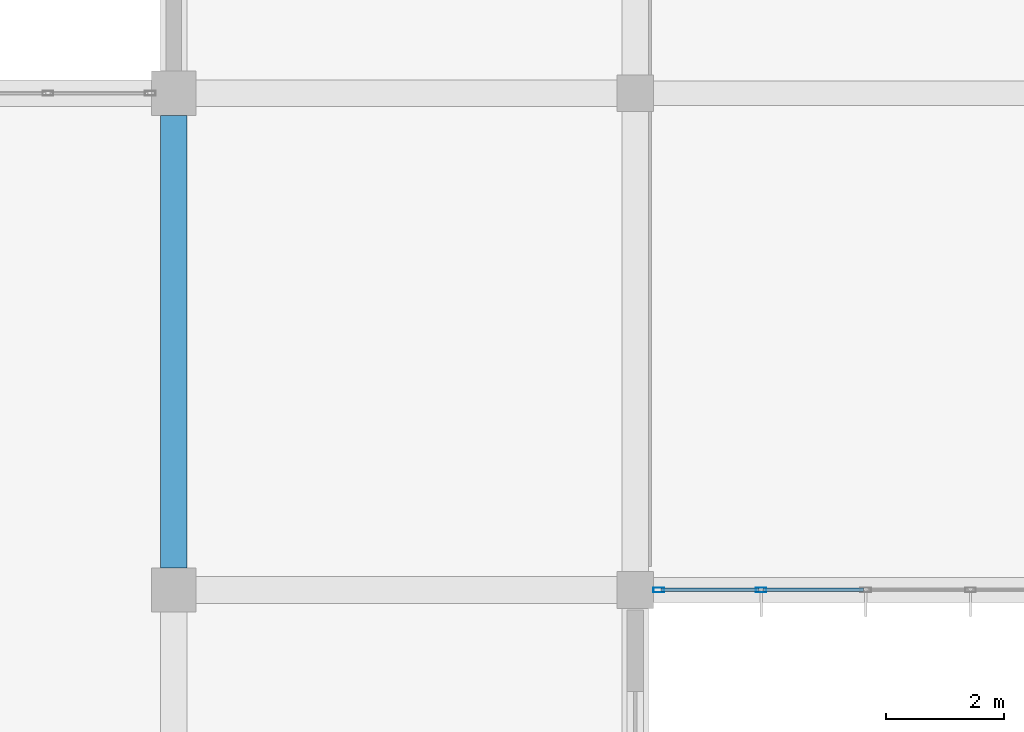
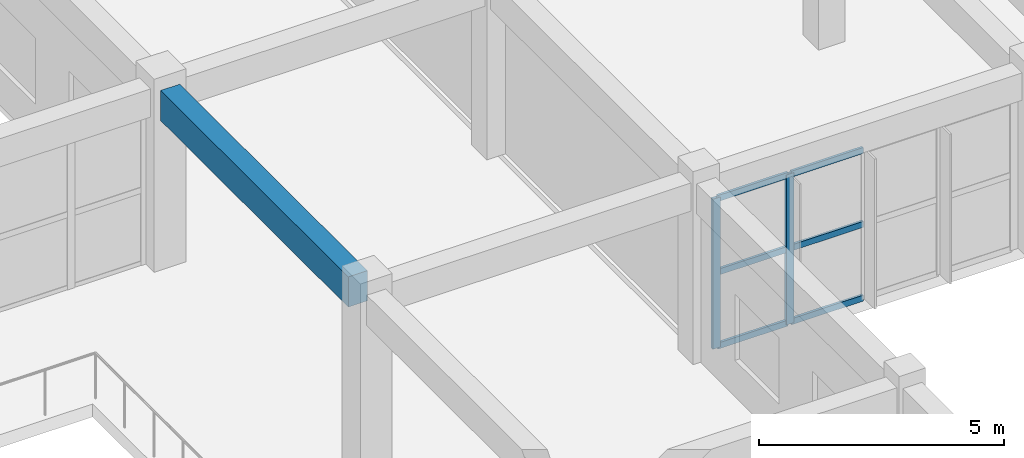
# One storey, part 85 of 167: 8 members, 1 beam, 1 element without a shape of its own.
"""IFC4 building model written with IfcOpenShell, lengths in metres."""

from ifc_helpers import new_model, si_unit, direction, frame, origin, origin_2d, place, context, subcontext, project, spatial, rectangle, hollow_rectangle, extrude, material, layer, layer_set, material_profile, profile_set, type_object, element, aggregate, save


model = new_model("IFC4")

# Units and contexts
model_context = context("Model", 3, precision=1e-05, world=origin(), true_north=direction((0.0, 1.0)))
body_context = subcontext(model_context, "Body", "Model", "MODEL_VIEW")
ifc_project = project(units=[si_unit("LENGTHUNIT", "METRE"), si_unit("AREAUNIT", "SQUARE_METRE"), si_unit("VOLUMEUNIT", "CUBIC_METRE"), si_unit("PLANEANGLEUNIT", "RADIAN"), si_unit("MASSUNIT", "GRAM", prefix="KILO")], contexts=[model_context])

# Site, building, storey
site_placement = place(None, origin())
site = spatial("IfcSite", under=ifc_project, at=site_placement, CompositionType="ELEMENT")
building_placement = place(site_placement, origin())
building = spatial("IfcBuilding", under=site, at=building_placement, Name="Zizhar Promenade General Hospital", CompositionType="ELEMENT")
storey_placement = place(building_placement, frame((0.0, 0.0, 9.60009765625)))
storey = spatial("IfcBuildingStorey", under=building, at=storey_placement, Name="L02", CompositionType="ELEMENT", Elevation=9.60009765625)

# Beam
ifc_material_1 = material(Name="Concrete C35/45", Category="concrete")
ifc_material_profile_1 = material_profile(ifc_material_1, rectangle(XDim=0.449951171875, YDim=0.75, at=origin_2d()))
ifc_profile_set_1 = profile_set([ifc_material_profile_1], Name="Concrete C35/45")
beam_type = type_object("IfcBeamType", Name="BM-RC-450x750", PredefinedType="BEAM", material=ifc_profile_set_1)
beam_placement = place(storey_placement, frame((124.800048828125, 42.375, 4.094970703125), z_axis=(0.0, 1.0, 0.0), x_axis=(-1.0, 0.0, 0.0)))
element("IfcBeam", 1, at=beam_placement, inside=storey, type_object=beam_type, Name="Grid Beam Y L02 (16-5)", PredefinedType="BEAM", context=body_context, shape_type="SweptSolid", body=[
    extrude(rectangle(XDim=0.449951171875, YDim=0.75, at=origin_2d()), origin(), (0.0, 0.0, 1.0), 7.64990234375),
])

# Curtain wall, members
ifc_material_2 = material(Name="Anodised aluminium 6063-T6 and low-E glass", Category="aluminium")
ifc_layer = layer(ifc_material_2, 0.159912109375)
ifc_layer_set = layer_set([ifc_layer], Name="Anodised aluminium 6063-T6 and low-E glass")
curtain_wall_type = type_object("IfcCurtainWallType", Name="CW-CLN-EXT", PredefinedType="NOTDEFINED", material=ifc_layer_set)
curtain_wall_placement = place(storey_placement, origin())
curtain_wall = element("IfcCurtainWall", 2, at=curtain_wall_placement, inside=storey, type_object=curtain_wall_type, Name="Outpatient Forecourt Curtain Wall L02-17", PredefinedType="NOTDEFINED")
ifc_material_3 = material(Name="Anodised aluminium 6063-T6", Category="aluminium")
ifc_material_profile_2 = material_profile(ifc_material_3, hollow_rectangle(XDim=0.080078125, YDim=0.179931640625, WallThickness=0.0048828125, at=origin_2d()))
ifc_profile_set_2 = profile_set([ifc_material_profile_2], Name="Anodised aluminium 6063-T6")
member_type_1 = type_object("IfcMemberType", Name="CWM-ALU-180x80", PredefinedType="MULLION", material=ifc_profile_set_2)
member_1_placement = place(storey_placement, frame((134.72998046875, 42.0, 0.0), z_axis=(0.0, 0.0, 1.0), x_axis=(0.0, -1.0, 0.0)))
member_1 = element("IfcMember", 3, at=member_1_placement, type_object=member_type_1, Name="CW-09 mullion 4", PredefinedType="MULLION", context=body_context, shape_type="SweptSolid", body=[
    extrude(hollow_rectangle(XDim=0.080078125, YDim=0.179931640625, WallThickness=0.0048828125, at=origin_2d()), origin(), (0.0, 0.0, 1.0), 3.72998046875),
])
member_2_placement = place(storey_placement, frame((133.0, 42.0, 0.0), z_axis=(0.0, 0.0, 1.0), x_axis=(0.0, -1.0, 0.0)))
member_2 = element("IfcMember", 4, at=member_2_placement, type_object=member_type_1, Name="CW-09 mullion 5", PredefinedType="MULLION", context=body_context, shape_type="SweptSolid", body=[
    extrude(hollow_rectangle(XDim=0.080078125, YDim=0.179931640625, WallThickness=0.0048828125, at=origin_2d()), origin(), (0.0, 0.0, 1.0), 3.72998046875),
])
ifc_material_4 = material(Name="Anodised aluminium 6063-T6", Category="aluminium")
ifc_material_profile_3 = material_profile(ifc_material_4, hollow_rectangle(XDim=0.06005859375, YDim=0.14990234375, WallThickness=0.00390625, at=origin_2d()))
ifc_profile_set_3 = profile_set([ifc_material_profile_3], Name="Anodised aluminium 6063-T6")
member_type_2 = type_object("IfcMemberType", Name="CWT-ALU-150x60", PredefinedType="USERDEFINED", material=ifc_profile_set_3)
member_3_placement = place(storey_placement, frame((136.4599609375, 42.0, 0.02978515625), z_axis=(-1.0, 0.0, 0.0), x_axis=(0.0, -1.0, 0.0)))
member_3 = element("IfcMember", 5, at=member_3_placement, type_object=member_type_2, Name="CW-09 transom 3.1", ObjectType="TRANSOM", PredefinedType="USERDEFINED", context=body_context, shape_type="SweptSolid", body=[
    extrude(hollow_rectangle(XDim=0.06005859375, YDim=0.14990234375, WallThickness=0.00390625, at=origin_2d()), origin(), (0.0, 0.0, 1.0), 1.68994140625),
])
member_4_placement = place(storey_placement, frame((136.4599609375, 42.0, 1.864990234375), z_axis=(-1.0, 0.0, 0.0), x_axis=(0.0, -1.0, 0.0)))
member_4 = element("IfcMember", 6, at=member_4_placement, type_object=member_type_2, Name="CW-09 transom 3.2", ObjectType="TRANSOM", PredefinedType="USERDEFINED", context=body_context, shape_type="SweptSolid", body=[
    extrude(hollow_rectangle(XDim=0.06005859375, YDim=0.14990234375, WallThickness=0.00390625, at=origin_2d()), origin(), (0.0, 0.0, 1.0), 1.68994140625),
])
member_5_placement = place(storey_placement, frame((136.4599609375, 42.0, 3.699951171875), z_axis=(-1.0, 0.0, 0.0), x_axis=(0.0, -1.0, 0.0)))
member_5 = element("IfcMember", 7, at=member_5_placement, type_object=member_type_2, Name="CW-09 transom 3.3", ObjectType="TRANSOM", PredefinedType="USERDEFINED", context=body_context, shape_type="SweptSolid", body=[
    extrude(hollow_rectangle(XDim=0.06005859375, YDim=0.14990234375, WallThickness=0.00390625, at=origin_2d()), origin(), (0.0, 0.0, 1.0), 1.68994140625),
])
member_6_placement = place(storey_placement, frame((134.68994140625, 42.0, 0.02978515625), z_axis=(-1.0, 0.0, 0.0), x_axis=(0.0, -1.0, 0.0)))
member_6 = element("IfcMember", 8, at=member_6_placement, type_object=member_type_2, Name="CW-09 transom 4.1", ObjectType="TRANSOM", PredefinedType="USERDEFINED", context=body_context, shape_type="SweptSolid", body=[
    extrude(hollow_rectangle(XDim=0.06005859375, YDim=0.14990234375, WallThickness=0.00390625, at=origin_2d()), origin(), (0.0, 0.0, 1.0), 1.64990234375),
])
member_7_placement = place(storey_placement, frame((134.68994140625, 42.0, 1.864990234375), z_axis=(-1.0, 0.0, 0.0), x_axis=(0.0, -1.0, 0.0)))
member_7 = element("IfcMember", 9, at=member_7_placement, type_object=member_type_2, Name="CW-09 transom 4.2", ObjectType="TRANSOM", PredefinedType="USERDEFINED", context=body_context, shape_type="SweptSolid", body=[
    extrude(hollow_rectangle(XDim=0.06005859375, YDim=0.14990234375, WallThickness=0.00390625, at=origin_2d()), origin(), (0.0, 0.0, 1.0), 1.64990234375),
])
member_8_placement = place(storey_placement, frame((134.68994140625, 42.0, 3.699951171875), z_axis=(-1.0, 0.0, 0.0), x_axis=(0.0, -1.0, 0.0)))
member_8 = element("IfcMember", 10, at=member_8_placement, type_object=member_type_2, Name="CW-09 transom 4.3", ObjectType="TRANSOM", PredefinedType="USERDEFINED", context=body_context, shape_type="SweptSolid", body=[
    extrude(hollow_rectangle(XDim=0.06005859375, YDim=0.14990234375, WallThickness=0.00390625, at=origin_2d()), origin(), (0.0, 0.0, 1.0), 1.64990234375),
])
aggregate(curtain_wall, [member_1, member_2, member_3, member_4, member_5, member_6, member_7, member_8])

save(model, "model.ifc")
